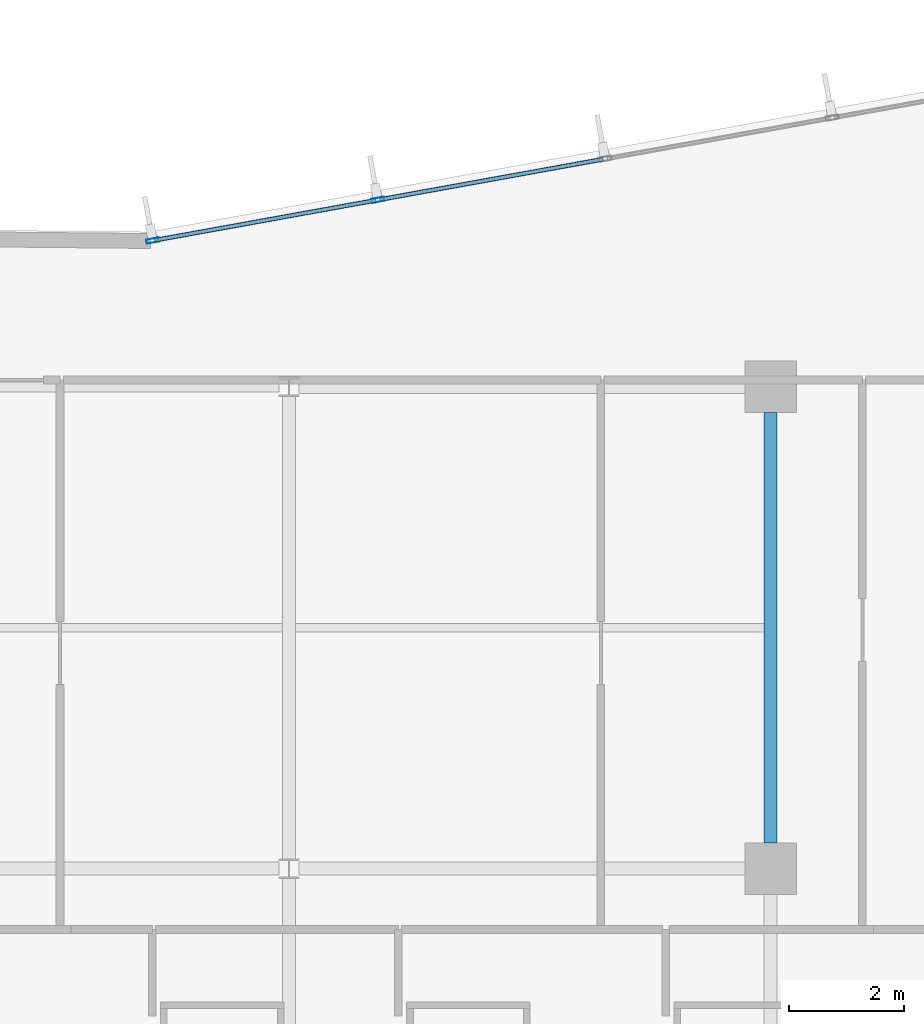
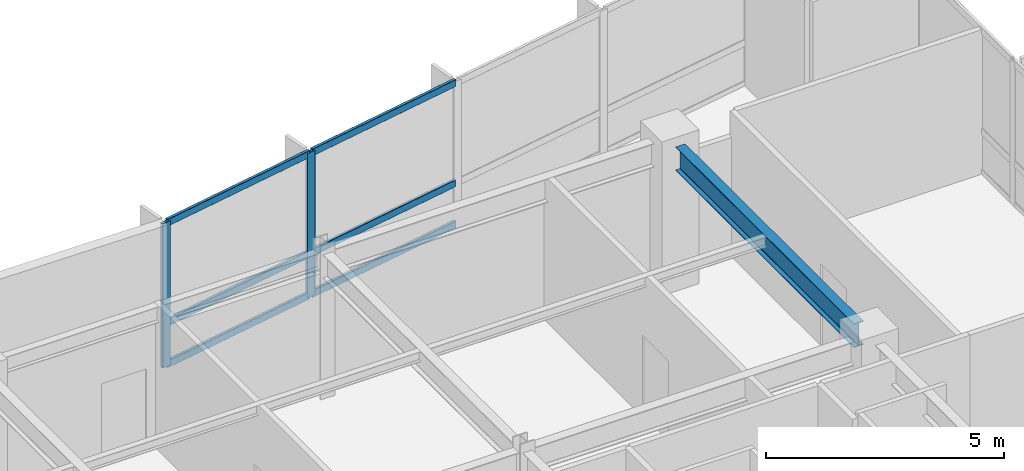
# One storey, part 7 of 20: 8 members, 1 beam, 1 element without a shape of its own.
"""IFC4 building model written with IfcOpenShell, lengths in metres."""

from ifc_helpers import new_model, si_unit, direction, frame, origin, origin_2d, place, context, subcontext, project, spatial, hollow_rectangle, i_section, extrude, material, layer, layer_set, material_profile, profile_set, type_object, element, aggregate, save


model = new_model("IFC4")

# Units and contexts
model_context = context("Model", 3, precision=1e-05, world=origin(), true_north=direction((0.0, 1.0)))
body_context = subcontext(model_context, "Body", "Model", "MODEL_VIEW")
ifc_project = project(units=[si_unit("LENGTHUNIT", "METRE"), si_unit("AREAUNIT", "SQUARE_METRE"), si_unit("VOLUMEUNIT", "CUBIC_METRE"), si_unit("PLANEANGLEUNIT", "RADIAN"), si_unit("MASSUNIT", "GRAM", prefix="KILO")], contexts=[model_context])

# Site, building, storey
site_placement = place(None, origin())
site = spatial("IfcSite", under=ifc_project, at=site_placement, CompositionType="ELEMENT")
building_placement = place(site_placement, origin())
building = spatial("IfcBuilding", under=site, at=building_placement, Name="Varnakote Quay Hospital", CompositionType="ELEMENT")
storey_placement = place(building_placement, frame((0.0, 0.0, 58.050048828125)))
storey = spatial("IfcBuildingStorey", under=building, at=storey_placement, Name="L14", CompositionType="ELEMENT", Elevation=58.050048828125)

# Beam
ifc_material_1 = material(Name="Structural steel AS/NZS 3679.1 Grade 350 L0 (fy 340 MPa)", Category="steel")
ifc_material_profile_1 = material_profile(ifc_material_1, i_section(OverallWidth=0.22900390625, OverallDepth=0.612060546875, WebThickness=0.011962890625, FlangeThickness=0.01953125, FilletRadius=0.013916015625, at=origin_2d()), Name="610UB125")
ifc_profile_set_1 = profile_set([ifc_material_profile_1], Name="Structural steel AS/NZS 3679.1 Grade 350 L0 (fy 340 MPa)")
beam_type = type_object("IfcBeamType", Name="BM-STL-610UB125", PredefinedType="BEAM", material=ifc_profile_set_1)
beam_placement = place(storey_placement, frame((50.39990234375, 20.85009765625, 3.404052734375), z_axis=(0.0, 1.0, 0.0), x_axis=(-1.0, 0.0, 0.0)))
element("IfcBeam", 1, at=beam_placement, inside=storey, type_object=beam_type, Name="L14 Primary Tie Beam", PredefinedType="BEAM", context=body_context, shape_type="SweptSolid", body=[
    extrude(i_section(OverallWidth=0.22900390625, OverallDepth=0.612060546875, WebThickness=0.011962890625, FlangeThickness=0.01953125, FilletRadius=0.013916015625, at=origin_2d()), origin(), (0.0, 0.0, 1.0), 7.5),
])

# Curtain wall, members
ifc_material_2 = material(Name="Anodised aluminium 6063-T6 Bronze", Category="aluminium")
ifc_layer = layer(ifc_material_2, 0.18994140625)
ifc_layer_set = layer_set([ifc_layer], Name="Anodised aluminium 6063-T6 Bronze")
curtain_wall_type = type_object("IfcCurtainWallType", Name="CW-SYS-2", PredefinedType="NOTDEFINED", material=ifc_layer_set)
curtain_wall_placement = place(storey_placement, origin())
curtain_wall = element("IfcCurtainWall", 2, at=curtain_wall_placement, inside=storey, type_object=curtain_wall_type, Name="L14 Unitised Bronze Curtain Wall 2", PredefinedType="NOTDEFINED")
ifc_material_3 = material(Name="Anodised aluminium 6063-T6 Bronze", Category="aluminium")
ifc_material_profile_2 = material_profile(ifc_material_3, hollow_rectangle(XDim=0.074951171875, YDim=0.219970703125, WallThickness=0.00439453125, InnerFilletRadius=0.00439453125, OuterFilletRadius=0.009033203125, at=origin_2d()), Name="CW-MULL-220x75")
ifc_profile_set_2 = profile_set([ifc_material_profile_2], Name="Anodised aluminium 6063-T6 Bronze")
member_type_1 = type_object("IfcMemberType", Name="CW-MULL-220x75", PredefinedType="MULLION", material=ifc_profile_set_2)
member_1_placement = place(storey_placement, frame((43.55224609375, 32.06005859375, 0.0), z_axis=(0.0, 0.0, 1.0), x_axis=(0.177846199098, -0.984058295766, 0.0)))
member_1 = element("IfcMember", 3, at=member_1_placement, type_object=member_type_1, Name="-2-L14-2 mullion 4", PredefinedType="MULLION", context=body_context, shape_type="SweptSolid", body=[
    extrude(hollow_rectangle(XDim=0.074951171875, YDim=0.219970703125, WallThickness=0.00439453125, InnerFilletRadius=0.00439453125, OuterFilletRadius=0.009033203125, at=origin_2d()), origin(), (0.0, 0.0, 1.0), 3.7099609375),
])
member_2_placement = place(storey_placement, frame((39.62646484375, 31.3505859375, 0.0), z_axis=(0.0, 0.0, 1.0), x_axis=(0.177846199098, -0.984058295766, 0.0)))
member_2 = element("IfcMember", 4, at=member_2_placement, type_object=member_type_1, Name="-2-L14-2 mullion 5", PredefinedType="MULLION", context=body_context, shape_type="SweptSolid", body=[
    extrude(hollow_rectangle(XDim=0.074951171875, YDim=0.219970703125, WallThickness=0.00439453125, InnerFilletRadius=0.00439453125, OuterFilletRadius=0.009033203125, at=origin_2d()), origin(), (0.0, 0.0, 1.0), 3.7099609375),
])
ifc_material_4 = material(Name="Anodised aluminium 6063-T6 Bronze", Category="aluminium")
ifc_material_profile_3 = material_profile(ifc_material_4, hollow_rectangle(XDim=0.074951171875, YDim=0.179931640625, WallThickness=0.004150390625, InnerFilletRadius=0.004150390625, OuterFilletRadius=0.00830078125, at=origin_2d()), Name="CW-TRAN-180x75")
ifc_profile_set_3 = profile_set([ifc_material_profile_3], Name="Anodised aluminium 6063-T6 Bronze")
member_type_2 = type_object("IfcMemberType", Name="CW-TRAN-180x75", PredefinedType="USERDEFINED", material=ifc_profile_set_3)
member_3_placement = place(storey_placement, frame((47.477783203125, 32.76953125, 0.037353515625), z_axis=(-0.98405423478, -0.177868667876, 0.0), x_axis=(0.177868667876, -0.98405423478, 0.0)))
member_3 = element("IfcMember", 5, at=member_3_placement, type_object=member_type_2, Name="-2-L14-2 transom 3.1", ObjectType="TRANSOM", PredefinedType="USERDEFINED", context=body_context, shape_type="SweptSolid", body=[
    extrude(hollow_rectangle(XDim=0.074951171875, YDim=0.179931640625, WallThickness=0.004150390625, InnerFilletRadius=0.004150390625, OuterFilletRadius=0.00830078125, at=origin_2d()), origin(), (0.0, 0.0, 1.0), 3.95166015625),
])
member_4_placement = place(storey_placement, frame((47.477783203125, 32.76953125, 1.099853515625), z_axis=(-0.98405423478, -0.177868667876, 0.0), x_axis=(0.177868667876, -0.98405423478, 0.0)))
member_4 = element("IfcMember", 6, at=member_4_placement, type_object=member_type_2, Name="-2-L14-2 transom 3.2", ObjectType="TRANSOM", PredefinedType="USERDEFINED", context=body_context, shape_type="SweptSolid", body=[
    extrude(hollow_rectangle(XDim=0.074951171875, YDim=0.179931640625, WallThickness=0.004150390625, InnerFilletRadius=0.004150390625, OuterFilletRadius=0.00830078125, at=origin_2d()), origin(), (0.0, 0.0, 1.0), 3.95166015625),
])
member_5_placement = place(storey_placement, frame((47.477783203125, 32.76953125, 3.67236328125), z_axis=(-0.98405423478, -0.177868667876, 0.0), x_axis=(0.177868667876, -0.98405423478, 0.0)))
member_5 = element("IfcMember", 7, at=member_5_placement, type_object=member_type_2, Name="-2-L14-2 transom 3.3", ObjectType="TRANSOM", PredefinedType="USERDEFINED", context=body_context, shape_type="SweptSolid", body=[
    extrude(hollow_rectangle(XDim=0.074951171875, YDim=0.179931640625, WallThickness=0.004150390625, InnerFilletRadius=0.004150390625, OuterFilletRadius=0.00830078125, at=origin_2d()), origin(), (0.0, 0.0, 1.0), 3.95166015625),
])
member_6_placement = place(storey_placement, frame((43.515380859375, 32.053466796875, 0.037353515625), z_axis=(-0.984053005206, -0.177875470329, 0.0), x_axis=(0.177875470329, -0.984053005206, 0.0)))
member_6 = element("IfcMember", 8, at=member_6_placement, type_object=member_type_2, Name="-2-L14-2 transom 4.1", ObjectType="TRANSOM", PredefinedType="USERDEFINED", context=body_context, shape_type="SweptSolid", body=[
    extrude(hollow_rectangle(XDim=0.074951171875, YDim=0.179931640625, WallThickness=0.004150390625, InnerFilletRadius=0.004150390625, OuterFilletRadius=0.00830078125, at=origin_2d()), origin(), (0.0, 0.0, 1.0), 3.91455078125),
])
member_7_placement = place(storey_placement, frame((43.515380859375, 32.053466796875, 1.099853515625), z_axis=(-0.984053005206, -0.177875470329, 0.0), x_axis=(0.177875470329, -0.984053005206, 0.0)))
member_7 = element("IfcMember", 9, at=member_7_placement, type_object=member_type_2, Name="-2-L14-2 transom 4.2", ObjectType="TRANSOM", PredefinedType="USERDEFINED", context=body_context, shape_type="SweptSolid", body=[
    extrude(hollow_rectangle(XDim=0.074951171875, YDim=0.179931640625, WallThickness=0.004150390625, InnerFilletRadius=0.004150390625, OuterFilletRadius=0.00830078125, at=origin_2d()), origin(), (0.0, 0.0, 1.0), 3.91455078125),
])
member_8_placement = place(storey_placement, frame((43.515380859375, 32.053466796875, 3.67236328125), z_axis=(-0.984053005206, -0.177875470329, 0.0), x_axis=(0.177875470329, -0.984053005206, 0.0)))
member_8 = element("IfcMember", 10, at=member_8_placement, type_object=member_type_2, Name="-2-L14-2 transom 4.3", ObjectType="TRANSOM", PredefinedType="USERDEFINED", context=body_context, shape_type="SweptSolid", body=[
    extrude(hollow_rectangle(XDim=0.074951171875, YDim=0.179931640625, WallThickness=0.004150390625, InnerFilletRadius=0.004150390625, OuterFilletRadius=0.00830078125, at=origin_2d()), origin(), (0.0, 0.0, 1.0), 3.91455078125),
])
aggregate(curtain_wall, [member_1, member_2, member_3, member_4, member_5, member_6, member_7, member_8])

save(model, "model.ifc")
